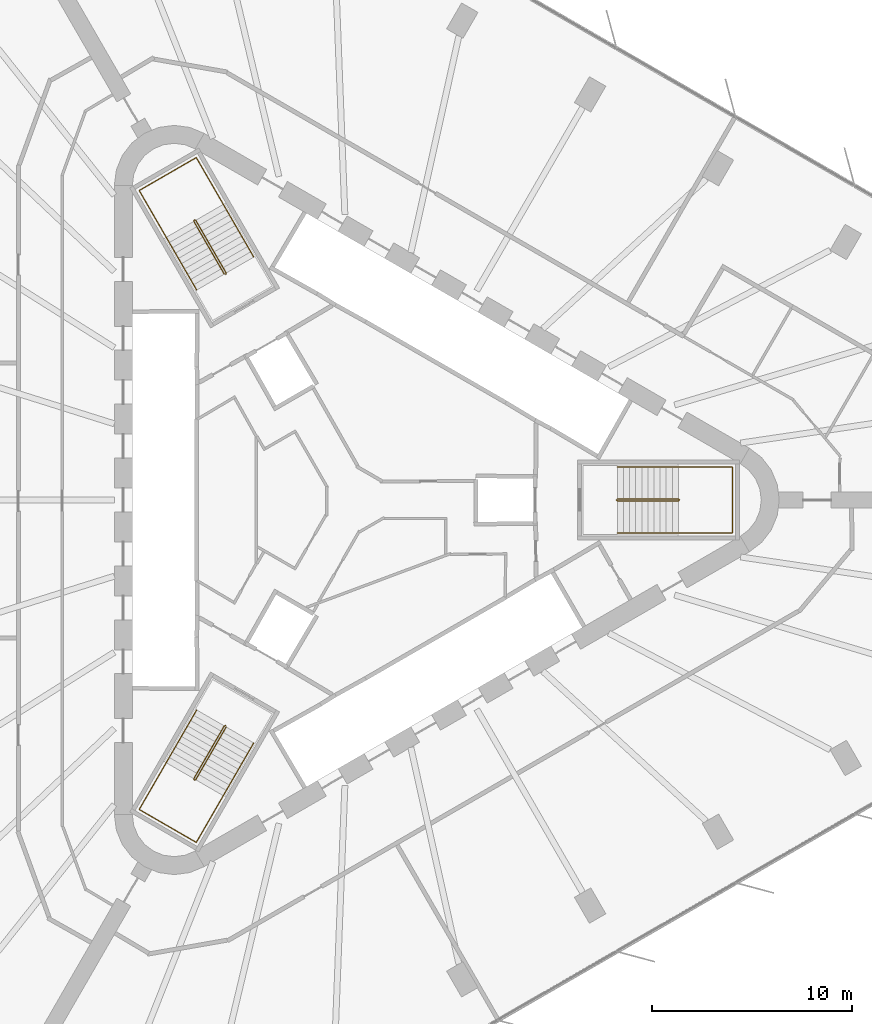
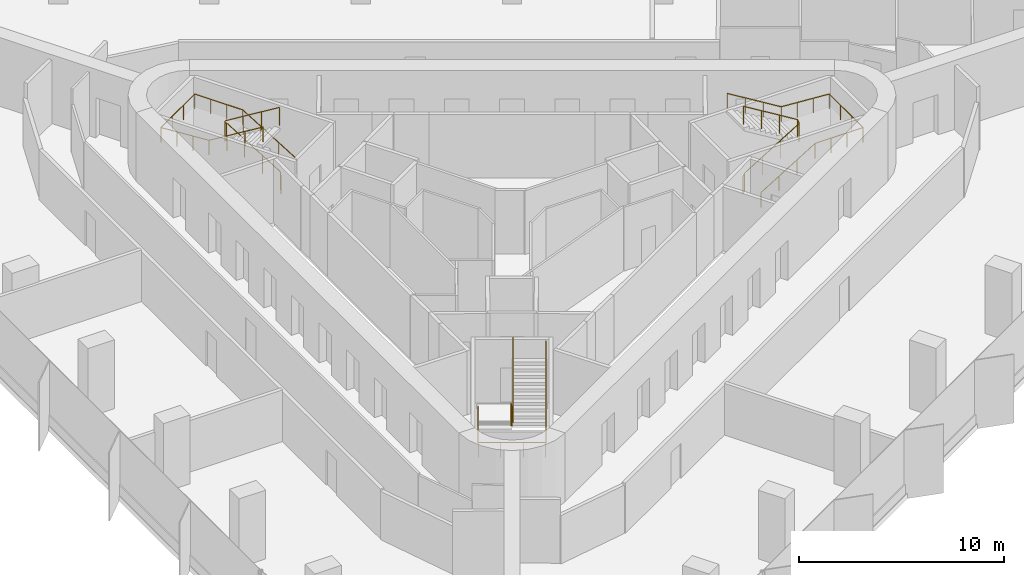
# One storey, part 14 of 14: 6 railings.
"""IFC4 building model written with IfcOpenShell, lengths in metres."""

from ifc_helpers import new_model, si_unit, direction, frame, origin, origin_2d, place, context, subcontext, project, spatial, circle, extrude, material, type_object, element, save


model = new_model("IFC4")

# Units and contexts
model_context = context("Model", 3, precision=1e-05, world=origin(), true_north=direction((0.0, 1.0)))
body_context = subcontext(model_context, "Body", "Model", "MODEL_VIEW")
ifc_project = project(units=[si_unit("LENGTHUNIT", "METRE"), si_unit("AREAUNIT", "SQUARE_METRE"), si_unit("VOLUMEUNIT", "CUBIC_METRE"), si_unit("PLANEANGLEUNIT", "RADIAN"), si_unit("MASSUNIT", "GRAM", prefix="KILO")], contexts=[model_context])

# Site, building, storey
site_placement = place(None, origin())
site = spatial("IfcSite", under=ifc_project, at=site_placement, CompositionType="ELEMENT")
building_placement = place(site_placement, origin())
building = spatial("IfcBuilding", under=site, at=building_placement, Name="Tanit Gate Tower", CompositionType="ELEMENT")
storey_placement = place(building_placement, frame((0.0, 0.0, 49.60009765625)))
storey = spatial("IfcBuildingStorey", under=building, at=storey_placement, Name="L08", CompositionType="ELEMENT", Elevation=49.60009765625)

# Railings
ifc_material_1 = material(Name="Stainless steel balustrade", Category="steel")
railing_type_1 = type_object("IfcRailingType", Name="INT-STAIR-GUARD", PredefinedType="GUARDRAIL", material=ifc_material_1)
railing_1_placement = place(storey_placement, frame((13.044921875, 0.0048828125, 0.0)))
element("IfcRailing", 1, at=railing_1_placement, inside=storey, type_object=railing_type_1, Name="L08 S1 stair guard 1", PredefinedType="GUARDRAIL", context=body_context, shape_type="SweptSolid", body=[
    extrude(circle(Radius=0.02392578125, at=origin_2d()), frame((0.0, 0.0, 1.076171875), z_axis=(0.0, -1.0, 0.0), x_axis=(1.0, 0.0, 0.0)), (0.0, 0.0, 1.0), 0.009765625),
    extrude(circle(Radius=0.02392578125, at=origin_2d()), frame((0.0, -0.009765625, 1.076171875), z_axis=(0.251157038772, -0.251157038772, 0.934794246747), x_axis=(0.707106781187, 0.707106781187, 0.0)), (0.0, 0.0, 1.0), 0.19921875),
    extrude(circle(Radius=0.02392578125, at=origin_2d()), frame((0.050048828125, -0.059814453125, 1.26220703125), z_axis=(0.853405036568, 0.0, 0.521248351134), x_axis=(0.0, 1.0, 0.0)), (0.0, 0.0, 1.0), 3.5751953125),
    extrude(circle(Radius=0.02392578125, at=origin_2d()), frame((3.10107421875, -0.059814453125, 3.1259765625), z_axis=(0.707106781187, 0.707106781187, 0.0), x_axis=(-0.707106781187, 0.707106781187, 0.0)), (0.0, 0.0, 1.0), 0.07080078125),
    extrude(circle(Radius=0.02392578125, at=origin_2d()), frame((3.151123046875, -0.009765625, 3.1259765625), z_axis=(0.0, 1.0, 0.0), x_axis=(-1.0, 0.0, 0.0)), (0.0, 0.0, 1.0), 0.009765625),
    extrude(circle(Radius=0.02392578125, at=origin_2d()), frame((3.151123046875, 0.0, 3.1259765625), z_axis=(-0.250869701741, 0.250869701741, 0.934948546978), x_axis=(-0.707106781187, -0.707106781187, 0.0)), (0.0, 0.0, 1.0), 0.199462890625),
    extrude(circle(Radius=0.02392578125, at=origin_2d()), frame((3.10107421875, 0.050048828125, 3.3125), z_axis=(-0.853405036568, 0.0, 0.521248351134), x_axis=(0.0, -1.0, 0.0)), (0.0, 0.0, 1.0), 3.5751953125),
    extrude(circle(Radius=0.02099609375, at=origin_2d()), origin(), (0.0, 0.0, 1.0), 1.052001953125),
    extrude(circle(Radius=0.02099609375, at=origin_2d()), frame((0.0, -0.009765625, 0.0)), (0.0, 0.0, 1.0), 1.052001953125),
    extrude(circle(Radius=0.02099609375, at=origin_2d()), frame((0.050048828125, -0.059814453125, 0.186279296875)), (0.0, 0.0, 1.0), 1.052001953125),
    extrude(circle(Radius=0.02099609375, at=origin_2d()), frame((1.067138671875, -0.059814453125, 0.807373046875)), (0.0, 0.0, 1.0), 1.052001953125),
    extrude(circle(Radius=0.02099609375, at=origin_2d()), frame((2.083984375, -0.059814453125, 1.4287109375)), (0.0, 0.0, 1.0), 1.052001953125),
    extrude(circle(Radius=0.02099609375, at=origin_2d()), frame((3.10107421875, -0.059814453125, 2.0498046875)), (0.0, 0.0, 1.0), 1.052001953125),
    extrude(circle(Radius=0.02099609375, at=origin_2d()), frame((3.151123046875, -0.009765625, 2.0498046875)), (0.0, 0.0, 1.0), 1.052001953125),
    extrude(circle(Radius=0.02099609375, at=origin_2d()), frame((3.151123046875, 0.0, 2.0498046875)), (0.0, 0.0, 1.0), 1.052001953125),
    extrude(circle(Radius=0.02099609375, at=origin_2d()), frame((3.10107421875, 0.050048828125, 2.236328125)), (0.0, 0.0, 1.0), 1.052001953125),
    extrude(circle(Radius=0.02099609375, at=origin_2d()), frame((2.083984375, 0.050048828125, 2.857421875)), (0.0, 0.0, 1.0), 1.052001953125),
    extrude(circle(Radius=0.02099609375, at=origin_2d()), frame((1.067138671875, 0.050048828125, 3.478759765625)), (0.0, 0.0, 1.0), 1.052001953125),
    extrude(circle(Radius=0.02099609375, at=origin_2d()), frame((0.050048828125, 0.050048828125, 4.099853515625)), (0.0, 0.0, 1.0), 1.052001953125),
])
railing_2_placement = place(storey_placement, frame((-6.527099609375, 11.29345703125, 0.0)))
element("IfcRailing", 2, at=railing_2_placement, inside=storey, type_object=railing_type_1, Name="L08 S2 stair guard 1", PredefinedType="GUARDRAIL", context=body_context, shape_type="SweptSolid", body=[
    extrude(circle(Radius=0.02392578125, at=origin_2d()), frame((0.0, 0.0, 1.076171875), z_axis=(0.868243142124, 0.496138938357, 0.0), x_axis=(-0.496138938357, 0.868243142124, 0.0)), (0.0, 0.0, 1.0), 0.01171875),
    extrude(circle(Radius=0.02392578125, at=origin_2d()), frame((0.01025390625, 0.005859375, 1.076171875), z_axis=(0.091888445584, 0.343050196848, 0.93481178641), x_axis=(-0.965948051503, 0.258736085224, 0.0)), (0.0, 0.0, 1.0), 0.19921875),
    extrude(circle(Radius=0.02392578125, at=origin_2d()), frame((0.028564453125, 0.07421875, 1.26220703125), z_axis=(-0.426651696395, 0.73893750972, 0.521478366466), x_axis=(-0.866012246495, -0.500022788402, 0.0)), (0.0, 0.0, 1.0), 3.573486328125),
    extrude(circle(Radius=0.02392578125, at=origin_2d()), frame((-1.49609375, 2.71484375, 3.1259765625), z_axis=(-0.965715946433, 0.259601060869, 0.0), x_axis=(-0.259601060869, -0.965715946433, 0.0)), (0.0, 0.0, 1.0), 0.070556640625),
    extrude(circle(Radius=0.02392578125, at=origin_2d()), frame((-1.564208984375, 2.733154296875, 3.1259765625), z_axis=(-0.873197702015, -0.487366159264, 0.0), x_axis=(0.487366159264, -0.873197702015, 0.0)), (0.0, 0.0, 1.0), 0.011962890625),
    extrude(circle(Radius=0.02392578125, at=origin_2d()), frame((-1.57470703125, 2.727294921875, 3.1259765625), z_axis=(-0.09178331637, -0.342657714447, 0.934966049419), x_axis=(0.965948051503, -0.258736085224, 0.0)), (0.0, 0.0, 1.0), 0.199462890625),
    extrude(circle(Radius=0.02392578125, at=origin_2d()), frame((-1.593017578125, 2.658935546875, 3.3125), z_axis=(0.426651696395, -0.73893750972, 0.521478366466), x_axis=(0.866012246495, 0.500022788402, 0.0)), (0.0, 0.0, 1.0), 3.573486328125),
    extrude(circle(Radius=0.02099609375, at=origin_2d()), origin(), (0.0, 0.0, 1.0), 1.052001953125),
    extrude(circle(Radius=0.02099609375, at=origin_2d()), frame((0.01025390625, 0.005859375, 0.0)), (0.0, 0.0, 1.0), 1.052001953125),
    extrude(circle(Radius=0.02099609375, at=origin_2d()), frame((0.028564453125, 0.07421875, 0.186279296875)), (0.0, 0.0, 1.0), 1.052001953125),
    extrude(circle(Radius=0.02099609375, at=origin_2d()), frame((-0.479736328125, 0.954345703125, 0.807373046875)), (0.0, 0.0, 1.0), 1.052001953125),
    extrude(circle(Radius=0.02099609375, at=origin_2d()), frame((-0.98779296875, 1.834716796875, 1.4287109375)), (0.0, 0.0, 1.0), 1.052001953125),
    extrude(circle(Radius=0.02099609375, at=origin_2d()), frame((-1.49609375, 2.71484375, 2.0498046875)), (0.0, 0.0, 1.0), 1.052001953125),
    extrude(circle(Radius=0.02099609375, at=origin_2d()), frame((-1.564208984375, 2.733154296875, 2.0498046875)), (0.0, 0.0, 1.0), 1.052001953125),
    extrude(circle(Radius=0.02099609375, at=origin_2d()), frame((-1.57470703125, 2.727294921875, 2.0498046875)), (0.0, 0.0, 1.0), 1.052001953125),
    extrude(circle(Radius=0.02099609375, at=origin_2d()), frame((-1.593017578125, 2.658935546875, 2.236328125)), (0.0, 0.0, 1.0), 1.052001953125),
    extrude(circle(Radius=0.02099609375, at=origin_2d()), frame((-1.084716796875, 1.77880859375, 2.857421875)), (0.0, 0.0, 1.0), 1.052001953125),
    extrude(circle(Radius=0.02099609375, at=origin_2d()), frame((-0.57666015625, 0.8984375, 3.478759765625)), (0.0, 0.0, 1.0), 1.052001953125),
    extrude(circle(Radius=0.02099609375, at=origin_2d()), frame((-0.068359375, 0.018310546875, 4.099853515625)), (0.0, 0.0, 1.0), 1.052001953125),
])
railing_3_placement = place(storey_placement, frame((-6.51806640625, -11.2998046875, 0.0)))
element("IfcRailing", 3, at=railing_3_placement, inside=storey, type_object=railing_type_1, Name="L08 S3 stair guard 1", PredefinedType="GUARDRAIL", context=body_context, shape_type="SweptSolid", body=[
    extrude(circle(Radius=0.02392578125, at=origin_2d()), frame((0.0, 0.0, 1.076171875), z_axis=(-0.874157276122, 0.485642931179, 0.0), x_axis=(-0.485642931179, -0.874157276122, 0.0)), (0.0, 0.0, 1.0), 0.010009765625),
    extrude(circle(Radius=0.02392578125, at=origin_2d()), frame((-0.0087890625, 0.0048828125, 1.076171875), z_axis=(-0.343088566343, -0.090673406819, 0.934916343285), x_axis=(0.255512919477, -0.966805641264, 0.0)), (0.0, 0.0, 1.0), 0.19921875),
    extrude(circle(Radius=0.02392578125, at=origin_2d()), frame((-0.0771484375, -0.01318359375, 1.26220703125), z_axis=(-0.426668548982, -0.73908990167, 0.521248565042), x_axis=(0.866048339477, -0.499960272111, 0.0)), (0.0, 0.0, 1.0), 3.5751953125),
    extrude(circle(Radius=0.02392578125, at=origin_2d()), frame((-1.6025390625, -2.655517578125, 3.1259765625), z_axis=(0.258736085224, -0.965948051503, 0.0), x_axis=(0.965948051503, 0.258736085224, 0.0)), (0.0, 0.0, 1.0), 0.07080078125),
    extrude(circle(Radius=0.02392578125, at=origin_2d()), frame((-1.584228515625, -2.723876953125, 3.1259765625), z_axis=(0.868243142124, -0.496138938357, 0.0), x_axis=(0.496138938357, 0.868243142124, 0.0)), (0.0, 0.0, 1.0), 0.009765625),
    extrude(circle(Radius=0.02392578125, at=origin_2d()), frame((-1.57568359375, -2.728759765625, 3.1259765625), z_axis=(0.342657714447, 0.09178331637, 0.934966049419), x_axis=(-0.258736085224, 0.965948051503, 0.0)), (0.0, 0.0, 1.0), 0.199462890625),
    extrude(circle(Radius=0.02392578125, at=origin_2d()), frame((-1.50732421875, -2.71044921875, 3.3125), z_axis=(0.426745940485, 0.73903737685, 0.521259683745), x_axis=(-0.865993683553, 0.500054937028, 0.0)), (0.0, 0.0, 1.0), 3.574951171875),
    extrude(circle(Radius=0.02099609375, at=origin_2d()), origin(), (0.0, 0.0, 1.0), 1.052001953125),
    extrude(circle(Radius=0.02099609375, at=origin_2d()), frame((-0.0087890625, 0.0048828125, 0.0)), (0.0, 0.0, 1.0), 1.052001953125),
    extrude(circle(Radius=0.02099609375, at=origin_2d()), frame((-0.0771484375, -0.01318359375, 0.186279296875)), (0.0, 0.0, 1.0), 1.052001953125),
    extrude(circle(Radius=0.02099609375, at=origin_2d()), frame((-0.585693359375, -0.89404296875, 0.807373046875)), (0.0, 0.0, 1.0), 1.052001953125),
    extrude(circle(Radius=0.02099609375, at=origin_2d()), frame((-1.093994140625, -1.774658203125, 1.4287109375)), (0.0, 0.0, 1.0), 1.052001953125),
    extrude(circle(Radius=0.02099609375, at=origin_2d()), frame((-1.6025390625, -2.655517578125, 2.0498046875)), (0.0, 0.0, 1.0), 1.052001953125),
    extrude(circle(Radius=0.02099609375, at=origin_2d()), frame((-1.584228515625, -2.723876953125, 2.0498046875)), (0.0, 0.0, 1.0), 1.052001953125),
    extrude(circle(Radius=0.02099609375, at=origin_2d()), frame((-1.57568359375, -2.728759765625, 2.0498046875)), (0.0, 0.0, 1.0), 1.052001953125),
    extrude(circle(Radius=0.02099609375, at=origin_2d()), frame((-1.50732421875, -2.71044921875, 2.236328125)), (0.0, 0.0, 1.0), 1.052001953125),
    extrude(circle(Radius=0.02099609375, at=origin_2d()), frame((-0.998779296875, -1.829833984375, 2.857421875)), (0.0, 0.0, 1.0), 1.052001953125),
    extrude(circle(Radius=0.02099609375, at=origin_2d()), frame((-0.490234375, -0.948974609375, 3.478759765625)), (0.0, 0.0, 1.0), 1.052001953125),
    extrude(circle(Radius=0.02099609375, at=origin_2d()), frame((0.018310546875, -0.068359375, 4.099853515625)), (0.0, 0.0, 1.0), 1.052001953125),
])
ifc_material_2 = material(Name="Stainless steel handrail", Category="steel")
railing_type_2 = type_object("IfcRailingType", Name="INT-STAIR-HANDRAIL", PredefinedType="HANDRAIL", material=ifc_material_2)
railing_4_placement = place(storey_placement, frame((13.094970703125, -1.64990234375, 0.186279296875)))
element("IfcRailing", 4, at=railing_4_placement, inside=storey, type_object=railing_type_2, Name="L08 S1 stair handrail 1", PredefinedType="HANDRAIL", context=body_context, shape_type="SweptSolid", body=[
    extrude(circle(Radius=0.02392578125, at=origin_2d()), frame((0.0, 0.0, 0.8759765625), z_axis=(0.853405036568, 0.0, 0.521248351134), x_axis=(0.0, 1.0, 0.0)), (0.0, 0.0, 1.0), 3.5751953125),
    extrude(circle(Radius=0.02392578125, at=origin_2d()), frame((3.051025390625, 0.0, 2.7392578125), z_axis=(1.0, 0.0, 0.0), x_axis=(0.0, 1.0, 0.0)), (0.0, 0.0, 1.0), 2.7041015625),
    extrude(circle(Radius=0.02392578125, at=origin_2d()), frame((5.755126953125, 0.0, 2.7392578125), z_axis=(0.0, 1.0, 0.0), x_axis=(-1.0, 0.0, 0.0)), (0.0, 0.0, 1.0), 3.2998046875),
    extrude(circle(Radius=0.02392578125, at=origin_2d()), frame((5.755126953125, 3.2998046875, 2.7392578125), z_axis=(-0.997629475601, 0.0, 0.068814456425), x_axis=(0.0, -1.0, 0.0)), (0.0, 0.0, 1.0), 2.71044921875),
    extrude(circle(Radius=0.02392578125, at=origin_2d()), frame((3.051025390625, 3.2998046875, 2.92578125), z_axis=(-0.853405036568, 0.0, 0.521248351134), x_axis=(0.0, -1.0, 0.0)), (0.0, 0.0, 1.0), 3.5751953125),
    extrude(circle(Radius=0.02099609375, at=origin_2d()), origin(), (0.0, 0.0, 1.0), 0.851806640625),
    extrude(circle(Radius=0.02099609375, at=origin_2d()), frame((1.01708984375, 0.0, 0.62109375)), (0.0, 0.0, 1.0), 0.851806640625),
    extrude(circle(Radius=0.02099609375, at=origin_2d()), frame((2.033935546875, 0.0, 1.242431640625)), (0.0, 0.0, 1.0), 0.851806640625),
    extrude(circle(Radius=0.02099609375, at=origin_2d()), frame((3.051025390625, 0.0, 1.863525390625)), (0.0, 0.0, 1.0), 0.851806640625),
    extrude(circle(Radius=0.02099609375, at=origin_2d()), frame((3.952392578125, 0.0, 1.863525390625)), (0.0, 0.0, 1.0), 0.851806640625),
    extrude(circle(Radius=0.02099609375, at=origin_2d()), frame((4.853759765625, 0.0, 1.863525390625)), (0.0, 0.0, 1.0), 0.851806640625),
    extrude(circle(Radius=0.02099609375, at=origin_2d()), frame((5.755126953125, 0.0, 1.863525390625)), (0.0, 0.0, 1.0), 0.851806640625),
    extrude(circle(Radius=0.02099609375, at=origin_2d()), frame((5.755126953125, 1.099853515625, 1.863525390625)), (0.0, 0.0, 1.0), 0.851806640625),
    extrude(circle(Radius=0.02099609375, at=origin_2d()), frame((5.755126953125, 2.199951171875, 1.863525390625)), (0.0, 0.0, 1.0), 0.851806640625),
    extrude(circle(Radius=0.02099609375, at=origin_2d()), frame((5.755126953125, 3.2998046875, 1.863525390625)), (0.0, 0.0, 1.0), 0.851806640625),
    extrude(circle(Radius=0.02099609375, at=origin_2d()), frame((4.853759765625, 3.2998046875, 1.92578125)), (0.0, 0.0, 1.0), 0.851806640625),
    extrude(circle(Radius=0.02099609375, at=origin_2d()), frame((3.952392578125, 3.2998046875, 1.98779296875)), (0.0, 0.0, 1.0), 0.851806640625),
    extrude(circle(Radius=0.02099609375, at=origin_2d()), frame((3.051025390625, 3.2998046875, 2.050048828125)), (0.0, 0.0, 1.0), 0.851806640625),
    extrude(circle(Radius=0.02099609375, at=origin_2d()), frame((2.033935546875, 3.2998046875, 2.671142578125)), (0.0, 0.0, 1.0), 0.851806640625),
    extrude(circle(Radius=0.02099609375, at=origin_2d()), frame((1.01708984375, 3.2998046875, 3.29248046875)), (0.0, 0.0, 1.0), 0.851806640625),
    extrude(circle(Radius=0.02099609375, at=origin_2d()), frame((0.0, 3.2998046875, 3.91357421875)), (0.0, 0.0, 1.0), 0.851806640625),
])
railing_5_placement = place(storey_placement, frame((-5.1181640625, 12.164794921875, 0.186279296875)))
element("IfcRailing", 5, at=railing_5_placement, inside=storey, type_object=railing_type_2, Name="L08 S2 stair handrail 1", PredefinedType="HANDRAIL", context=body_context, shape_type="SweptSolid", body=[
    extrude(circle(Radius=0.02392578125, at=origin_2d()), frame((0.0, 0.0, 0.8759765625), z_axis=(-0.426595811233, 0.738959047773, 0.521493566166), x_axis=(-0.866046917185, -0.499962735845, 0.0)), (0.0, 0.0, 1.0), 3.573486328125),
    extrude(circle(Radius=0.02392578125, at=origin_2d()), frame((-1.5244140625, 2.640625, 2.7392578125), z_axis=(-0.500019123664, 0.86601436245, 0.0), x_axis=(-0.86601436245, -0.500019123664, 0.0)), (0.0, 0.0, 1.0), 2.70703125),
    extrude(circle(Radius=0.02392578125, at=origin_2d()), frame((-2.8779296875, 4.98486328125, 2.7392578125), z_axis=(-0.866008176907, -0.50002983664, 0.0), x_axis=(0.50002983664, -0.866008176907, 0.0)), (0.0, 0.0, 1.0), 3.300048828125),
    extrude(circle(Radius=0.02392578125, at=origin_2d()), frame((-5.73583984375, 3.334716796875, 2.7392578125), z_axis=(0.498875061953, -0.86394290581, 0.068748294973), x_axis=(0.865991810323, 0.500058181068, 0.0)), (0.0, 0.0, 1.0), 2.713134765625),
    extrude(circle(Radius=0.02392578125, at=origin_2d()), frame((-4.38232421875, 0.99072265625, 2.92578125), z_axis=(0.426630158194, -0.738968522208, 0.521452041232), x_axis=(0.866032263162, 0.499988119021, 0.0)), (0.0, 0.0, 1.0), 3.57373046875),
    extrude(circle(Radius=0.02099609375, at=origin_2d()), origin(), (0.0, 0.0, 1.0), 0.851806640625),
    extrude(circle(Radius=0.02099609375, at=origin_2d()), frame((-0.508056640625, 0.880126953125, 0.62109375)), (0.0, 0.0, 1.0), 0.851806640625),
    extrude(circle(Radius=0.02099609375, at=origin_2d()), frame((-1.016357421875, 1.760498046875, 1.242431640625)), (0.0, 0.0, 1.0), 0.851806640625),
    extrude(circle(Radius=0.02099609375, at=origin_2d()), frame((-1.5244140625, 2.640625, 1.863525390625)), (0.0, 0.0, 1.0), 0.851806640625),
    extrude(circle(Radius=0.02099609375, at=origin_2d()), frame((-1.9755859375, 3.422119140625, 1.863525390625)), (0.0, 0.0, 1.0), 0.851806640625),
    extrude(circle(Radius=0.02099609375, at=origin_2d()), frame((-2.4267578125, 4.203369140625, 1.863525390625)), (0.0, 0.0, 1.0), 0.851806640625),
    extrude(circle(Radius=0.02099609375, at=origin_2d()), frame((-2.8779296875, 4.98486328125, 1.863525390625)), (0.0, 0.0, 1.0), 0.851806640625),
    extrude(circle(Radius=0.02099609375, at=origin_2d()), frame((-3.83056640625, 4.434814453125, 1.863525390625)), (0.0, 0.0, 1.0), 0.851806640625),
    extrude(circle(Radius=0.02099609375, at=origin_2d()), frame((-4.783203125, 3.884765625, 1.863525390625)), (0.0, 0.0, 1.0), 0.851806640625),
    extrude(circle(Radius=0.02099609375, at=origin_2d()), frame((-5.73583984375, 3.334716796875, 1.863525390625)), (0.0, 0.0, 1.0), 0.851806640625),
    extrude(circle(Radius=0.02099609375, at=origin_2d()), frame((-5.28466796875, 2.553466796875, 1.92578125)), (0.0, 0.0, 1.0), 0.851806640625),
    extrude(circle(Radius=0.02099609375, at=origin_2d()), frame((-4.83349609375, 1.77197265625, 1.98779296875)), (0.0, 0.0, 1.0), 0.851806640625),
    extrude(circle(Radius=0.02099609375, at=origin_2d()), frame((-4.38232421875, 0.99072265625, 2.050048828125)), (0.0, 0.0, 1.0), 0.851806640625),
    extrude(circle(Radius=0.02099609375, at=origin_2d()), frame((-3.8740234375, 0.1103515625, 2.671142578125)), (0.0, 0.0, 1.0), 0.851806640625),
    extrude(circle(Radius=0.02099609375, at=origin_2d()), frame((-3.365966796875, -0.769775390625, 3.29248046875)), (0.0, 0.0, 1.0), 0.851806640625),
    extrude(circle(Radius=0.02099609375, at=origin_2d()), frame((-2.857666015625, -1.650146484375, 3.91357421875)), (0.0, 0.0, 1.0), 0.851806640625),
])
railing_6_placement = place(storey_placement, frame((-7.9765625, -10.515625, 0.186279296875)))
element("IfcRailing", 6, at=railing_6_placement, inside=storey, type_object=railing_type_2, Name="L08 S3 stair handrail 1", PredefinedType="HANDRAIL", context=body_context, shape_type="SweptSolid", body=[
    extrude(circle(Radius=0.02392578125, at=origin_2d()), frame((0.0, 0.0, 0.8759765625), z_axis=(-0.426668548982, -0.73908990167, 0.521248565042), x_axis=(0.866048339477, -0.499960272111, 0.0)), (0.0, 0.0, 1.0), 3.5751953125),
    extrude(circle(Radius=0.02392578125, at=origin_2d()), frame((-1.525390625, -2.642333984375, 2.7392578125), z_axis=(-0.50004290449, -0.866000631449, 0.0), x_axis=(0.866000631449, -0.50004290449, 0.0)), (0.0, 0.0, 1.0), 2.703857421875),
    extrude(circle(Radius=0.02392578125, at=origin_2d()), frame((-2.87744140625, -4.98388671875, 2.7392578125), z_axis=(0.866008176907, -0.50002983664, 0.0), x_axis=(0.50002983664, 0.866008176907, 0.0)), (0.0, 0.0, 1.0), 3.300048828125),
    extrude(circle(Radius=0.02392578125, at=origin_2d()), frame((-0.01953125, -6.634033203125, 2.7392578125), z_axis=(0.498818517556, 0.863970245648, 0.068814977864), x_axis=(-0.866023205937, 0.500003806764, 0.0)), (0.0, 0.0, 1.0), 2.71044921875),
    extrude(circle(Radius=0.02392578125, at=origin_2d()), frame((1.33251953125, -4.292236328125, 2.92578125), z_axis=(0.426668548982, 0.73908990167, 0.521248565042), x_axis=(-0.866048339477, 0.499960272111, 0.0)), (0.0, 0.0, 1.0), 3.5751953125),
    extrude(circle(Radius=0.02099609375, at=origin_2d()), origin(), (0.0, 0.0, 1.0), 0.851806640625),
    extrude(circle(Radius=0.02099609375, at=origin_2d()), frame((-0.508544921875, -0.880859375, 0.62109375)), (0.0, 0.0, 1.0), 0.851806640625),
    extrude(circle(Radius=0.02099609375, at=origin_2d()), frame((-1.016845703125, -1.761474609375, 1.242431640625)), (0.0, 0.0, 1.0), 0.851806640625),
    extrude(circle(Radius=0.02099609375, at=origin_2d()), frame((-1.525390625, -2.642333984375, 1.863525390625)), (0.0, 0.0, 1.0), 0.851806640625),
    extrude(circle(Radius=0.02099609375, at=origin_2d()), frame((-1.97607421875, -3.4228515625, 1.863525390625)), (0.0, 0.0, 1.0), 0.851806640625),
    extrude(circle(Radius=0.02099609375, at=origin_2d()), frame((-2.4267578125, -4.203369140625, 1.863525390625)), (0.0, 0.0, 1.0), 0.851806640625),
    extrude(circle(Radius=0.02099609375, at=origin_2d()), frame((-2.87744140625, -4.98388671875, 1.863525390625)), (0.0, 0.0, 1.0), 0.851806640625),
    extrude(circle(Radius=0.02099609375, at=origin_2d()), frame((-1.9248046875, -5.533935546875, 1.863525390625)), (0.0, 0.0, 1.0), 0.851806640625),
    extrude(circle(Radius=0.02099609375, at=origin_2d()), frame((-0.97216796875, -6.083984375, 1.863525390625)), (0.0, 0.0, 1.0), 0.851806640625),
    extrude(circle(Radius=0.02099609375, at=origin_2d()), frame((-0.01953125, -6.634033203125, 1.863525390625)), (0.0, 0.0, 1.0), 0.851806640625),
    extrude(circle(Radius=0.02099609375, at=origin_2d()), frame((0.43115234375, -5.853515625, 1.92578125)), (0.0, 0.0, 1.0), 0.851806640625),
    extrude(circle(Radius=0.02099609375, at=origin_2d()), frame((0.8818359375, -5.07275390625, 1.98779296875)), (0.0, 0.0, 1.0), 0.851806640625),
    extrude(circle(Radius=0.02099609375, at=origin_2d()), frame((1.33251953125, -4.292236328125, 2.050048828125)), (0.0, 0.0, 1.0), 0.851806640625),
    extrude(circle(Radius=0.02099609375, at=origin_2d()), frame((1.841064453125, -3.411376953125, 2.671142578125)), (0.0, 0.0, 1.0), 0.851806640625),
    extrude(circle(Radius=0.02099609375, at=origin_2d()), frame((2.349365234375, -2.53076171875, 3.29248046875)), (0.0, 0.0, 1.0), 0.851806640625),
    extrude(circle(Radius=0.02099609375, at=origin_2d()), frame((2.85791015625, -1.64990234375, 3.91357421875)), (0.0, 0.0, 1.0), 0.851806640625),
])

save(model, "model.ifc")
